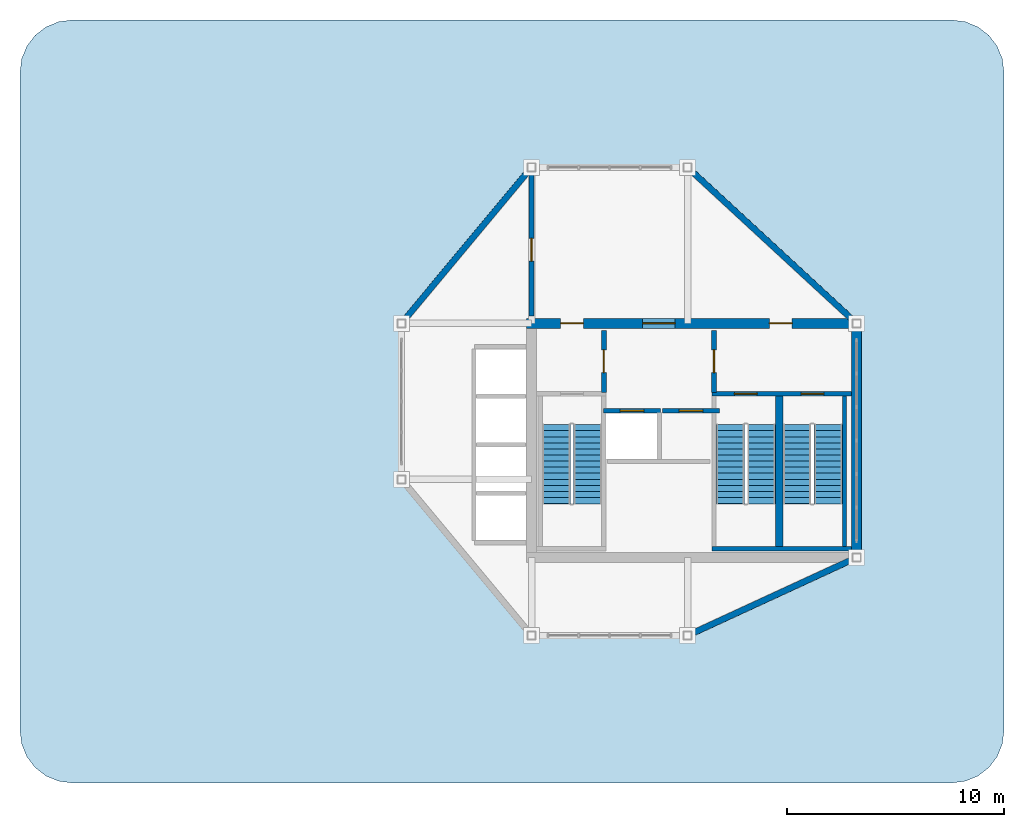
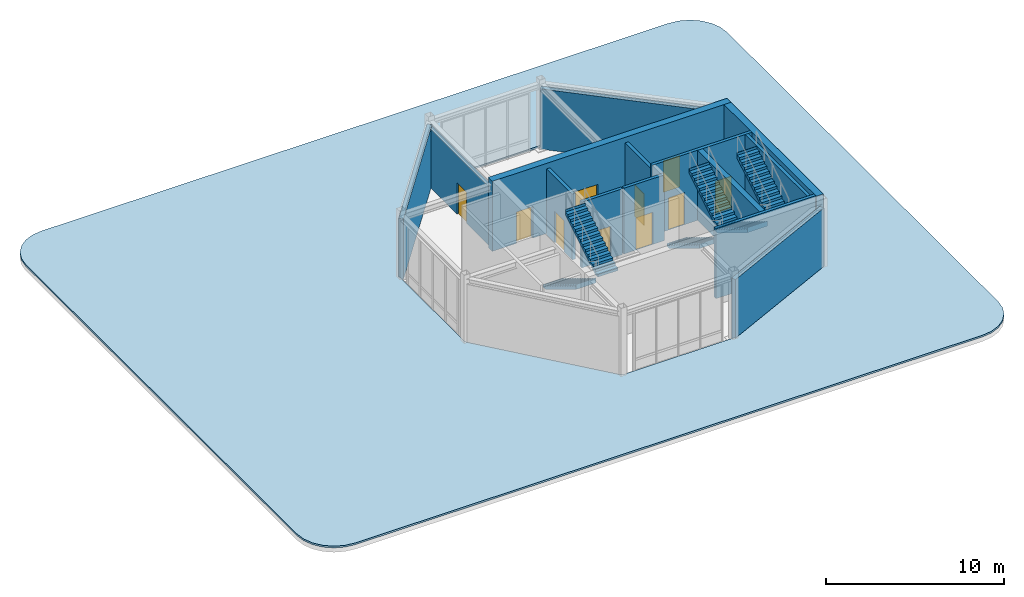
# One storey, part 4 of 5: 14 walls, 10 doors, 6 stair flights, 1 roof, 10 openings, 3 elements without a shape of their own.
"""IFC4 building model written with IfcOpenShell, lengths in metres."""

import ifcopenshell
import ifcopenshell.guid

model = None  # the IFC model being written
_history = None  # IfcOwnerHistory: only IFC2X3 demands one
_inside = {}  # id of a spatial element -> (the spatial element, [elements in it])
_under = {}  # id of a project, library or spatial element -> (it, [spatial elements below it])
_declared = {}  # id of a project -> (the project, [libraries it declares])
_typed = {}  # id of a type object -> (the type object, [elements of that type])
_made_of = {}  # id of a material, layer set ... -> (it, [elements and type objects made of it])


def new_model(schema):
    """Start an empty IFC model of exactly this schema.

    Asked for "IFC4X3", IfcOpenShell would pick the latest addendum, in which some entities
    have other attributes; the version numbers below select the first issue.
    IFC2X3 requires an IfcOwnerHistory on every rooted entity: one is made here for all.
    """
    global model, _history
    if schema == "IFC4X3":
        model = ifcopenshell.file(schema_version=(4, 3, 0, 0))
    else:
        model = ifcopenshell.file(schema=schema)
    _inside.clear()
    _under.clear()
    _declared.clear()
    _typed.clear()
    _made_of.clear()
    _history = None
    if model.schema == "IFC2X3":
        org = make("IfcOrganization", Name="unknown")
        user = make(
            "IfcPersonAndOrganization",
            ThePerson=make("IfcPerson", FamilyName="unknown"),
            TheOrganization=org,
        )
        app = make(
            "IfcApplication",
            ApplicationDeveloper=org,
            Version="unknown",
            ApplicationFullName="unknown",
            ApplicationIdentifier="unknown",
        )
        _history = make(
            "IfcOwnerHistory",
            OwningUser=user,
            OwningApplication=app,
            ChangeAction="ADDED",
            CreationDate=0,
        )
    return model


def make(cls, **values):
    """One entity of the class cls with the attributes given. An attribute that is None is left unset."""
    return model.create_entity(
        cls, **{name: value for name, value in values.items() if value is not None}
    )


def rooted(cls, **values):
    """An entity with a GlobalId (a new one), such as an element, a storey or a relation."""
    return make(cls, GlobalId=ifcopenshell.guid.new(), OwnerHistory=_history, **values)


def si_unit(unit_type, name, prefix=None):
    """IfcSIUnit, for example si_unit("LENGTHUNIT", "METRE", prefix="MILLI")."""
    return make("IfcSIUnit", UnitType=unit_type, Prefix=prefix, Name=name)


def derived_unit(unit_type, elements):
    """IfcDerivedUnit: a product of units, each with its exponent."""
    return make(
        "IfcDerivedUnit",
        Elements=[
            make("IfcDerivedUnitElement", Unit=unit, Exponent=power)
            for unit, power in elements
        ],
        UnitType=unit_type,
    )


def assignment(units):
    """IfcUnitAssignment: the units of a project."""
    return None if units is None else make("IfcUnitAssignment", Units=units)


def point(xyz):
    """IfcCartesianPoint."""
    return None if xyz is None else make("IfcCartesianPoint", Coordinates=xyz)


def direction(xyz):
    """IfcDirection."""
    return None if xyz is None else make("IfcDirection", DirectionRatios=xyz)


def frame(location, z_axis=None, x_axis=None):
    """IfcAxis2Placement3D, a coordinate frame: its origin and axes. An axis left out is left unset."""
    return make(
        "IfcAxis2Placement3D",
        Location=point(location),
        Axis=direction(z_axis),
        RefDirection=direction(x_axis),
    )


def frame_2d(location, x_axis=None):
    """IfcAxis2Placement2D, a coordinate frame in the plane: its origin and x axis."""
    return make(
        "IfcAxis2Placement2D", Location=point(location), RefDirection=direction(x_axis)
    )


def origin():
    """The frame at (0, 0, 0) with its axes left unset."""
    return frame((0.0, 0.0, 0.0))


def place(relative_to, where):
    """IfcLocalPlacement: puts the frame where relative to a parent placement (None: the world)."""
    return make(
        "IfcLocalPlacement", PlacementRelTo=relative_to, RelativePlacement=where
    )


def context(
    kind, dimensions, precision=None, world=None, true_north=None, identifier=None
):
    """IfcGeometricRepresentationContext, for example the 3D "Model" context."""
    return make(
        "IfcGeometricRepresentationContext",
        ContextIdentifier=identifier,
        ContextType=kind,
        CoordinateSpaceDimension=dimensions,
        Precision=precision,
        WorldCoordinateSystem=world,
        TrueNorth=true_north,
    )


def subcontext(parent, identifier, kind, view, scale=None):
    """IfcGeometricRepresentationSubContext, for example "Body" below "Model"."""
    return make(
        "IfcGeometricRepresentationSubContext",
        ContextIdentifier=identifier,
        ContextType=kind,
        ParentContext=parent,
        TargetScale=scale,
        TargetView=view,
    )


def project(units=None, contexts=None):
    """IfcProject with its units and contexts."""
    return rooted(
        "IfcProject",
        Name="project",
        RepresentationContexts=contexts,
        UnitsInContext=assignment(units),
    )


def spatial(cls, under=None, at=None, **own):
    """A site, building, storey or space (cls), placed at a placement, below another one or the project."""
    s = rooted(cls, ObjectPlacement=at, **own)
    if under is not None:
        _under.setdefault(under.id(), (under, []))[1].append(s)
    return s


def polyline(points):
    """IfcPolyline through the points."""
    return make("IfcPolyline", Points=[point(p) for p in points])


def profile(cls, at=None, kind="AREA", **sizes):
    """A parametric profile (cls). Its sizes go by their IFC names, for example OverallWidth=200.0."""
    return make(cls, ProfileType=kind, Position=at, **sizes)


def rectangle(**sizes):
    """IfcRectangleProfileDef."""
    return profile("IfcRectangleProfileDef", **sizes)


def outline(outer, holes=None, kind="AREA"):
    """IfcArbitraryClosedProfileDef: a profile drawn as a closed curve; with holes, ...WithVoids."""
    if holes is None:
        return make("IfcArbitraryClosedProfileDef", ProfileType=kind, OuterCurve=outer)
    return make(
        "IfcArbitraryProfileDefWithVoids",
        ProfileType=kind,
        OuterCurve=outer,
        InnerCurves=holes,
    )


def extrude(swept, where, along, depth):
    """IfcExtrudedAreaSolid: the profile swept, set in the frame where, extruded along a direction by depth."""
    return make(
        "IfcExtrudedAreaSolid",
        SweptArea=swept,
        Position=where,
        ExtrudedDirection=direction(along),
        Depth=depth,
    )


def shape(context_of_items, identifier, shape_type, items):
    """IfcShapeRepresentation: the items that make up one representation, for example the "Body"."""
    return make(
        "IfcShapeRepresentation",
        ContextOfItems=context_of_items,
        RepresentationIdentifier=identifier,
        RepresentationType=shape_type,
        Items=items,
    )


def source(mapping_origin, context_of_items, identifier, shape_type, items):
    """IfcRepresentationMap: a shape defined once, which mapped items show again and again."""
    return make(
        "IfcRepresentationMap",
        MappingOrigin=mapping_origin,
        MappedRepresentation=shape(context_of_items, identifier, shape_type, items),
    )


def transform(
    local_origin,
    x_axis=None,
    y_axis=None,
    z_axis=None,
    scale=None,
    scale2=None,
    scale3=None,
    uniform=True,
):
    """IfcCartesianTransformationOperator3D, or its non-uniform kind. x_axis, y_axis, z_axis: its Axis1, 2, 3."""
    if uniform:
        return make(
            "IfcCartesianTransformationOperator3D",
            Axis1=direction(x_axis),
            Axis2=direction(y_axis),
            LocalOrigin=point(local_origin),
            Scale=scale,
            Axis3=direction(z_axis),
        )
    return make(
        "IfcCartesianTransformationOperator3DnonUniform",
        Axis1=direction(x_axis),
        Axis2=direction(y_axis),
        LocalOrigin=point(local_origin),
        Scale=scale,
        Axis3=direction(z_axis),
        Scale2=scale2,
        Scale3=scale3,
    )


def mapped(mapping_source, mapping_target):
    """IfcMappedItem: shows the shape of a source again, moved by a transform."""
    return make(
        "IfcMappedItem", MappingSource=mapping_source, MappingTarget=mapping_target
    )


def material(Name=None, Category=None):
    """IfcMaterial."""
    return make("IfcMaterial", Name=Name, Category=Category)


def layer(
    of_material, thickness, ventilated=None, Name=None, Category=None, Priority=None
):
    """IfcMaterialLayer: one layer of a wall or slab, of a material (None: an air gap)."""
    return make(
        "IfcMaterialLayer",
        Material=of_material,
        LayerThickness=thickness,
        IsVentilated=ventilated,
        Name=Name,
        Category=Category,
        Priority=Priority,
    )


def layer_set(layers, Name=None):
    """IfcMaterialLayerSet."""
    return make("IfcMaterialLayerSet", MaterialLayers=layers, LayerSetName=Name)


def made_of(thing, what):
    """Note that an element or type object is made of a material, layer set ...; save() writes the relation."""
    if what is not None:
        _made_of.setdefault(what.id(), (what, []))[1].append(thing)
    return thing


def type_object(cls, material=None, **own):
    """A type object (cls), such as IfcWallType, which elements share."""
    return made_of(rooted(cls, **own), material)


def type_shapes(of_type, sources):
    """Give a type object the sources (RepresentationMaps) that its elements show as mapped items."""
    of_type.RepresentationMaps = sources


def element(
    cls,
    number,
    at=None,
    inside=None,
    cuts=None,
    type_object=None,
    material=None,
    context=None,
    identifier="Body",
    shape_type=None,
    held_by="IfcProductDefinitionShape",
    body=None,
    shapes=None,
    **own,
):
    """One element of the class cls, such as IfcWall. Its Tag is "e" and its number.

    at: its placement. inside: the storey or other place that contains it. cuts: it is an
    opening in that element (IfcRelVoidsElement). A single representation is given by context,
    identifier, shape_type and body (its items); several are given by shapes. held_by: the class
    of the entity that holds the representations. save() writes the other relations.
    """
    e = rooted(cls, Tag="e%d" % number, ObjectPlacement=at, **own)
    if body is not None:
        shapes = [shape(context, identifier, shape_type, body)]
    if shapes is not None:
        e.Representation = make(held_by, Representations=shapes)
    if inside is not None:
        _inside.setdefault(inside.id(), (inside, []))[1].append(e)
    if cuts is not None:
        rooted(
            "IfcRelVoidsElement", RelatingBuildingElement=cuts, RelatedOpeningElement=e
        )
    if type_object is not None:
        _typed.setdefault(type_object.id(), (type_object, []))[1].append(e)
    return made_of(e, material)


def fill(opening, filler):
    """IfcRelFillsElement: the door or window that sits in an opening."""
    return rooted(
        "IfcRelFillsElement",
        RelatingOpeningElement=opening,
        RelatedBuildingElement=filler,
    )


def aggregate(whole, parts):
    """IfcRelAggregates: a whole, such as a stair, and the parts it consists of."""
    return rooted("IfcRelAggregates", RelatingObject=whole, RelatedObjects=parts)


def save(model, path):
    """Write the relations noted so far, then the file.

    IfcRelAggregates (storeys below a building ...), IfcRelContainedInSpatialStructure (elements
    in a storey), IfcRelDefinesByType, IfcRelAssociatesMaterial and IfcRelDeclares: one each for
    every whole, place, type object, material and project.
    """
    for whole, parts in _under.values():
        aggregate(whole, parts)
    for where, things in _inside.values():
        rooted(
            "IfcRelContainedInSpatialStructure",
            RelatedElements=things,
            RelatingStructure=where,
        )
    for kind, things in _typed.values():
        rooted("IfcRelDefinesByType", RelatedObjects=things, RelatingType=kind)
    for what, things in _made_of.values():
        rooted("IfcRelAssociatesMaterial", RelatedObjects=things, RelatingMaterial=what)
    for by, libraries in _declared.values():
        rooted("IfcRelDeclares", RelatingContext=by, RelatedDefinitions=libraries)
    model.write(path)


model = new_model("IFC4")

# Units and contexts
model_context = context("Model", 3, precision=1e-05, world=origin(), true_north=direction((0.0, 1.0)))
body_context = subcontext(model_context, "Body", "Model", "MODEL_VIEW")
ifc_project = project(units=[si_unit("LENGTHUNIT", "METRE"), si_unit("AREAUNIT", "SQUARE_METRE"), si_unit("VOLUMEUNIT", "CUBIC_METRE"), si_unit("PLANEANGLEUNIT", "RADIAN"), si_unit("MASSUNIT", "GRAM", prefix="KILO"), si_unit("THERMODYNAMICTEMPERATUREUNIT", "KELVIN"), si_unit("POWERUNIT", "WATT"), derived_unit("THERMALTRANSMITTANCEUNIT", [(si_unit("POWERUNIT", "WATT"), 1), (si_unit("AREAUNIT", "SQUARE_METRE"), -1), (si_unit("THERMODYNAMICTEMPERATUREUNIT", "KELVIN"), -1)])], contexts=[model_context])

# Site, building, storey
site_placement = place(None, origin())
site = spatial("IfcSite", under=ifc_project, at=site_placement, CompositionType="ELEMENT")
building_placement = place(site_placement, origin())
building = spatial("IfcBuilding", under=site, at=building_placement, Name="Zahravan Archway Hotel and Residences", CompositionType="ELEMENT")
storey_placement = place(building_placement, frame((0.0, 0.0, 299.10009765625)))
storey = spatial("IfcBuildingStorey", under=building, at=storey_placement, Name="L75", CompositionType="ELEMENT", Elevation=299.10009765625)

# Wall, openings, doors
ifc_material_1 = material(Name="Concrete C50/60", Category="concrete")
ifc_layer_1 = layer(ifc_material_1, 0.449951171875, Name="Concrete C50/60", Category="concrete")
ifc_layer_set_1 = layer_set([ifc_layer_1], Name="Concrete C50/60")
wall_type_1 = type_object("IfcWallType", Name="CW-CORE-450", PredefinedType="SHEAR", material=ifc_layer_set_1)
wall_1_placement = place(storey_placement, frame((34.574951171875, 14.39990234375, 0.0), z_axis=(0.0, 0.0, 1.0), x_axis=(1.0, 0.0, 0.0)))
wall_1 = element("IfcWall", 1, at=wall_1_placement, inside=storey, type_object=wall_type_1, Name="L75 Core A Shear N Wall 450 mm", PredefinedType="SHEAR", context=body_context, shape_type="SweptSolid", body=[
    extrude(rectangle(XDim=15.449951171875, YDim=0.449951171875, at=frame_2d((7.72509765625, 0.0))), origin(), (0.0, 0.0, 1.0), 4.7998046875),
])
opening_1_placement = place(wall_1_placement, frame((5.35498046875, 0.0, 0.0)))
opening_1 = element("IfcOpeningElement", 2, at=opening_1_placement, cuts=wall_1, Name="Opening FD-L1", PredefinedType="OPENING", context=body_context, shape_type="SweptSolid", body=[
    extrude(rectangle(XDim=1.5, YDim=2.199951171875, at=frame_2d((0.75, 1.10009765625))), frame((0.0, 0.23486328125, 0.0), z_axis=(0.0, -1.0, 0.0), x_axis=(1.0, 0.0, 0.0)), (0.0, 0.0, 1.0), 0.469970703125),
])
opening_2_placement = place(wall_1_placement, frame((1.570068359375, 0.0, 0.0)))
opening_2 = element("IfcOpeningElement", 3, at=opening_2_placement, cuts=wall_1, Name="Opening FD-L2", PredefinedType="OPENING", context=body_context, shape_type="SweptSolid", body=[
    extrude(rectangle(XDim=1.050048828125, YDim=2.14990234375, at=frame_2d((0.52490234375, 1.074951171875))), frame((0.0, 0.23486328125, 0.0), z_axis=(0.0, -1.0, 0.0), x_axis=(1.0, 0.0, 0.0)), (0.0, 0.0, 1.0), 0.469970703125),
])
opening_3_placement = place(wall_1_placement, frame((11.199951171875, 0.0, 0.0)))
opening_3 = element("IfcOpeningElement", 4, at=opening_3_placement, cuts=wall_1, Name="Opening FD-L2", PredefinedType="OPENING", context=body_context, shape_type="SweptSolid", body=[
    extrude(rectangle(XDim=1.050048828125, YDim=2.14990234375, at=frame_2d((0.52490234375, 1.074951171875))), frame((0.0, 0.23486328125, 0.0), z_axis=(0.0, -1.0, 0.0), x_axis=(1.0, 0.0, 0.0)), (0.0, 0.0, 1.0), 0.469970703125),
])
ifc_material_2 = material(Name="Fire-Rated Painted Steel", Category="steel")
door_type_1 = type_object("IfcDoorType", Name="FD-LOBBY-1100", OperationType="NOTDEFINED", PredefinedType="DOOR", material=ifc_material_2)
shared_shape_1 = source(origin(), body_context, "Body", "SweptSolid", [
    extrude(rectangle(XDim=1.050048828125, YDim=2.14990234375, at=frame_2d((0.52490234375, 1.074951171875))), frame((0.0, 0.02490234375, 0.0), z_axis=(0.0, -1.0, 0.0), x_axis=(1.0, 0.0, 0.0)), (0.0, 0.0, 1.0), 0.050048828125),
])
type_shapes(door_type_1, [shared_shape_1])
door_1_placement = place(opening_2_placement, origin())
door_1 = element("IfcDoor", 5, at=door_1_placement, inside=storey, type_object=door_type_1, Name="L75 Core A West Stair Lobby Door", OperationType="SINGLE_SWING_RIGHT", OverallHeight=2.14990234375, OverallWidth=1.050048828125, PredefinedType="DOOR", context=body_context, shape_type="MappedRepresentation", body=[
    mapped(shared_shape_1, transform((0.0, 0.0, 0.0), scale=1.0)),
])
fill(opening_2, door_1)
door_2_placement = place(opening_3_placement, origin())
door_2 = element("IfcDoor", 6, at=door_2_placement, inside=storey, type_object=door_type_1, Name="L75 Core A East Stair Lobby Door", OperationType="SINGLE_SWING_LEFT", OverallHeight=2.14990234375, OverallWidth=1.050048828125, PredefinedType="DOOR", context=body_context, shape_type="MappedRepresentation", body=[
    mapped(shared_shape_1, transform((0.0, 0.0, 0.0), scale=1.0)),
])
fill(opening_3, door_2)
door_type_2 = type_object("IfcDoorType", Name="FD-LOBBY-1500", OperationType="DOUBLE_DOOR_SINGLE_SWING", PredefinedType="DOOR", material=ifc_material_2)
shared_shape_2 = source(origin(), body_context, "Body", "SweptSolid", [
    extrude(rectangle(XDim=1.5, YDim=2.199951171875, at=frame_2d((0.75, 1.10009765625))), frame((0.0, 0.02490234375, 0.0), z_axis=(0.0, -1.0, 0.0), x_axis=(1.0, 0.0, 0.0)), (0.0, 0.0, 1.0), 0.050048828125),
])
type_shapes(door_type_2, [shared_shape_2])
door_3_placement = place(opening_1_placement, origin())
door_3 = element("IfcDoor", 7, at=door_3_placement, inside=storey, type_object=door_type_2, Name="L75 Core A FSAE Lobby Main Door", OperationType="DOUBLE_DOOR_SINGLE_SWING", OverallHeight=2.199951171875, OverallWidth=1.5, PredefinedType="DOOR", context=body_context, shape_type="MappedRepresentation", body=[
    mapped(shared_shape_2, transform((0.0, 0.0, 0.0), scale=1.0)),
])
fill(opening_1, door_3)

# Walls
wall_2_placement = place(storey_placement, frame((49.800048828125, 3.824951171875, 0.0), z_axis=(0.0, 0.0, 1.0), x_axis=(0.0, 1.0, 0.0)))
element("IfcWall", 8, at=wall_2_placement, inside=storey, type_object=wall_type_1, Name="L75 Core A Shear E Wall 450 mm", PredefinedType="SHEAR", context=body_context, shape_type="SweptSolid", body=[
    extrude(rectangle(XDim=10.35009765625, YDim=0.449951171875, at=frame_2d((5.175048828125, 0.0))), origin(), (0.0, 0.0, 1.0), 4.7998046875),
])
ifc_material_3 = material(Name="Carved Chhatri Sandstone Cladding Wall", Category="masonry")
ifc_layer_2 = layer(ifc_material_3, 0.280029296875, Name="Carved Chhatri Sandstone Cladding Wall", Category="masonry")
ifc_layer_set_2 = layer_set([ifc_layer_2], Name="Carved Chhatri Sandstone Cladding Wall")
wall_type_2 = type_object("IfcWallType", Name="EW-DRUM-280", PredefinedType="SOLIDWALL", material=ifc_layer_set_2)
wall_3_placement = place(storey_placement, frame((42.0, 0.0, 0.0), z_axis=(0.0, 0.0, 1.0), x_axis=(0.907956057379, 0.41906538615, 0.0)))
element("IfcWall", 9, at=wall_3_placement, inside=storey, type_object=wall_type_2, Name="L75 Octagonal Chhatri Sandstone Face 2", PredefinedType="SOLIDWALL", context=body_context, shape_type="SweptSolid", body=[
    extrude(rectangle(XDim=8.5908203125, YDim=0.280029296875, at=frame_2d((4.29541015625, 0.0))), origin(), (0.0, 0.0, 1.0), 4.125),
])
wall_4_placement = place(storey_placement, frame((49.800048828125, 14.39990234375, 0.0), z_axis=(0.0, 0.0, 1.0), x_axis=(-0.734796390569, 0.678287744551, 0.0)))
element("IfcWall", 10, at=wall_4_placement, inside=storey, type_object=wall_type_2, Name="L75 Octagonal Chhatri Sandstone Face 4", PredefinedType="SOLIDWALL", context=body_context, shape_type="SweptSolid", body=[
    extrude(rectangle(XDim=10.615234375, YDim=0.280029296875, at=frame_2d((5.3076171875, 0.0))), origin(), (0.0, 0.0, 1.0), 4.125),
])
wall_5_placement = place(storey_placement, frame((34.800048828125, 21.60009765625, 0.0), z_axis=(0.0, 0.0, 1.0), x_axis=(-0.640174150918, -0.768229820104, 0.0)))
element("IfcWall", 11, at=wall_5_placement, inside=storey, type_object=wall_type_2, Name="L75 Octagonal Chhatri Sandstone Face 6", PredefinedType="SOLIDWALL", context=body_context, shape_type="SweptSolid", body=[
    extrude(rectangle(XDim=9.37255859375, YDim=0.280029296875, at=frame_2d((4.686279296875, 0.0))), origin(), (0.0, 0.0, 1.0), 4.125),
])

# Wall, opening, door
ifc_material_4 = material(Name="Fire-Rated Gypsum & Concrete Block", Category="concrete")
ifc_layer_3 = layer(ifc_material_4, 0.219970703125, Name="Fire-Rated Gypsum & Concrete Block", Category="concrete")
ifc_layer_set_3 = layer_set([ifc_layer_3], Name="Fire-Rated Gypsum & Concrete Block")
wall_type_3 = type_object("IfcWallType", Name="PW-COMP-220", PredefinedType="PARTITIONING", material=ifc_layer_set_3)
wall_6_placement = place(storey_placement, frame((38.139892578125, 11.219970703125, 0.0), z_axis=(0.0, 0.0, 1.0), x_axis=(0.0, 1.0, 0.0)))
wall_6 = element("IfcWall", 12, at=wall_6_placement, inside=storey, type_object=wall_type_3, Name="L75 Partition CA-LOBW", PredefinedType="PARTITIONING", context=body_context, shape_type="SweptSolid", body=[
    extrude(rectangle(XDim=2.860107421875, YDim=0.219970703125, at=frame_2d((1.43017578125, 0.0))), origin(), (0.0, 0.0, 1.0), 4.5),
])
opening_4_placement = place(wall_6_placement, frame((0.905029296875, 0.0, 0.0)))
opening_4 = element("IfcOpeningElement", 13, at=opening_4_placement, cuts=wall_6, Name="Opening FD-L2", PredefinedType="OPENING", context=body_context, shape_type="SweptSolid", body=[
    extrude(rectangle(XDim=1.050048828125, YDim=2.14990234375, at=frame_2d((0.52490234375, 1.074951171875))), frame((0.0, 0.1201171875, 0.0), z_axis=(0.0, -1.0, 0.0), x_axis=(1.0, 0.0, 0.0)), (0.0, 0.0, 1.0), 0.239990234375),
])
door_4_placement = place(opening_4_placement, origin())
door_4 = element("IfcDoor", 14, at=door_4_placement, inside=storey, type_object=door_type_1, Name="L75 Core A West Stair to FSAE Lobby Door", OperationType="SINGLE_SWING_RIGHT", OverallHeight=2.14990234375, OverallWidth=1.050048828125, PredefinedType="DOOR", context=body_context, shape_type="MappedRepresentation", body=[
    mapped(shared_shape_1, transform((0.0, 0.0, 0.0), scale=1.0)),
])
fill(opening_4, door_4)

wall_7_placement = place(storey_placement, frame((43.219970703125, 11.219970703125, 0.0), z_axis=(0.0, 0.0, 1.0), x_axis=(0.0, 1.0, 0.0)))
wall_7 = element("IfcWall", 15, at=wall_7_placement, inside=storey, type_object=wall_type_3, Name="L75 Partition CA-LOBE", PredefinedType="PARTITIONING", context=body_context, shape_type="SweptSolid", body=[
    extrude(rectangle(XDim=2.860107421875, YDim=0.219970703125, at=frame_2d((1.43017578125, 0.0))), origin(), (0.0, 0.0, 1.0), 4.5),
])
opening_5_placement = place(wall_7_placement, frame((0.905029296875, 0.0, 0.0)))
opening_5 = element("IfcOpeningElement", 16, at=opening_5_placement, cuts=wall_7, Name="Opening FD-L2", PredefinedType="OPENING", context=body_context, shape_type="SweptSolid", body=[
    extrude(rectangle(XDim=1.050048828125, YDim=2.14990234375, at=frame_2d((0.52490234375, 1.074951171875))), frame((0.0, 0.1201171875, 0.0), z_axis=(0.0, -1.0, 0.0), x_axis=(1.0, 0.0, 0.0)), (0.0, 0.0, 1.0), 0.239990234375),
])
door_5_placement = place(opening_5_placement, origin())
door_5 = element("IfcDoor", 17, at=door_5_placement, inside=storey, type_object=door_type_1, Name="L75 Core A East Stair to FSAE Lobby Door", OperationType="SINGLE_SWING_LEFT", OverallHeight=2.14990234375, OverallWidth=1.050048828125, PredefinedType="DOOR", context=body_context, shape_type="MappedRepresentation", body=[
    mapped(shared_shape_1, transform((0.0, 0.0, 0.0), scale=1.0)),
])
fill(opening_5, door_5)

wall_8_placement = place(storey_placement, frame((34.800048828125, 14.739990234375, 0.0), z_axis=(0.0, 0.0, 1.0), x_axis=(0.0, 1.0, 0.0)))
wall_8 = element("IfcWall", 18, at=wall_8_placement, inside=storey, type_object=wall_type_3, Name="L75 Partition L75-PL1", PredefinedType="PARTITIONING", context=body_context, shape_type="SweptSolid", body=[
    extrude(rectangle(XDim=6.719970703125, YDim=0.219970703125, at=frame_2d((3.35986328125, 0.0))), origin(), (0.0, 0.0, 1.0), 4.034912109375),
])
opening_6_placement = place(wall_8_placement, frame((2.534912109375, 0.0, 0.0)))
opening_6 = element("IfcOpeningElement", 19, at=opening_6_placement, cuts=wall_8, Name="Opening FD-L2", PredefinedType="OPENING", context=body_context, shape_type="SweptSolid", body=[
    extrude(rectangle(XDim=1.050048828125, YDim=2.14990234375, at=frame_2d((0.52490234375, 1.074951171875))), frame((0.0, 0.1201171875, 0.0), z_axis=(0.0, -1.0, 0.0), x_axis=(1.0, 0.0, 0.0)), (0.0, 0.0, 1.0), 0.239990234375),
])
door_6_placement = place(opening_6_placement, origin())
door_6 = element("IfcDoor", 20, at=door_6_placement, inside=storey, type_object=door_type_1, Name="L75 Crown Mechanical Hall Door", OperationType="SINGLE_SWING_RIGHT", OverallHeight=2.14990234375, OverallWidth=1.050048828125, PredefinedType="DOOR", context=body_context, shape_type="MappedRepresentation", body=[
    mapped(shared_shape_1, transform((0.0, 0.0, 0.0), scale=1.0)),
])
fill(opening_6, door_6)

ifc_layer_4 = layer(ifc_material_4, 0.199951171875, Name="Fire-Rated Gypsum & Concrete Block", Category="concrete")
ifc_layer_set_4 = layer_set([ifc_layer_4], Name="Fire-Rated Gypsum & Concrete Block")
wall_type_4 = type_object("IfcWallType", Name="PW-SHAFT-200", PredefinedType="PARTITIONING", material=ifc_layer_set_4)
wall_9_placement = place(storey_placement, frame((38.1201171875, 10.3701171875, 0.0), z_axis=(0.0, 0.0, 1.0), x_axis=(1.0, 0.0, 0.0)))
wall_9 = element("IfcWall", 21, at=wall_9_placement, inside=storey, type_object=wall_type_4, Name="L75 Lift FL-1 Front Wall", PredefinedType="PARTITIONING", context=body_context, shape_type="SweptSolid", body=[
    extrude(rectangle(XDim=2.639892578125, YDim=0.199951171875, at=frame_2d((1.31982421875, 0.0))), origin(), (0.0, 0.0, 1.0), 4.5),
])
opening_7_placement = place(wall_9_placement, frame((0.77001953125, 0.0, 0.0)))
opening_7 = element("IfcOpeningElement", 22, at=opening_7_placement, cuts=wall_9, Name="Opening LD", PredefinedType="OPENING", context=body_context, shape_type="SweptSolid", body=[
    extrude(rectangle(XDim=1.10009765625, YDim=2.199951171875, at=frame_2d((0.550048828125, 1.10009765625))), frame((0.0, 0.10986328125, 0.0), z_axis=(0.0, -1.0, 0.0), x_axis=(1.0, 0.0, 0.0)), (0.0, 0.0, 1.0), 0.219970703125),
])
ifc_material_5 = material(Name="Brushed Stainless Steel", Category="steel")
door_type_3 = type_object("IfcDoorType", Name="DR-LIFT-LD", OperationType="SLIDING_TO_LEFT", PredefinedType="DOOR", material=ifc_material_5)
shared_shape_3 = source(origin(), body_context, "Body", "SweptSolid", [
    extrude(rectangle(XDim=1.10009765625, YDim=2.199951171875, at=frame_2d((0.550048828125, 1.10009765625))), frame((0.0, 0.02490234375, 0.0), z_axis=(0.0, -1.0, 0.0), x_axis=(1.0, 0.0, 0.0)), (0.0, 0.0, 1.0), 0.050048828125),
])
type_shapes(door_type_3, [shared_shape_3])
door_7_placement = place(opening_7_placement, origin())
door_7 = element("IfcDoor", 23, at=door_7_placement, inside=storey, type_object=door_type_3, Name="L75 Lift FL-1 Sliding Landing Door", OperationType="SLIDING_TO_LEFT", OverallHeight=2.199951171875, OverallWidth=1.10009765625, PredefinedType="DOOR", context=body_context, shape_type="MappedRepresentation", body=[
    mapped(shared_shape_3, transform((0.0, 0.0, 0.0), scale=1.0)),
])
fill(opening_7, door_7)

wall_10_placement = place(storey_placement, frame((40.840087890625, 10.3701171875, 0.0), z_axis=(0.0, 0.0, 1.0), x_axis=(1.0, 0.0, 0.0)))
wall_10 = element("IfcWall", 24, at=wall_10_placement, inside=storey, type_object=wall_type_4, Name="L75 Lift FL-2 Front Wall", PredefinedType="PARTITIONING", context=body_context, shape_type="SweptSolid", body=[
    extrude(rectangle(XDim=2.639892578125, YDim=0.199951171875, at=frame_2d((1.31982421875, 0.0))), origin(), (0.0, 0.0, 1.0), 4.5),
])
opening_8_placement = place(wall_10_placement, frame((0.77001953125, 0.0, 0.0)))
opening_8 = element("IfcOpeningElement", 25, at=opening_8_placement, cuts=wall_10, Name="Opening LD", PredefinedType="OPENING", context=body_context, shape_type="SweptSolid", body=[
    extrude(rectangle(XDim=1.10009765625, YDim=2.199951171875, at=frame_2d((0.550048828125, 1.10009765625))), frame((0.0, 0.10986328125, 0.0), z_axis=(0.0, -1.0, 0.0), x_axis=(1.0, 0.0, 0.0)), (0.0, 0.0, 1.0), 0.219970703125),
])
door_8_placement = place(opening_8_placement, origin())
door_8 = element("IfcDoor", 26, at=door_8_placement, inside=storey, type_object=door_type_3, Name="L75 Lift FL-2 Sliding Landing Door", OperationType="SLIDING_TO_LEFT", OverallHeight=2.199951171875, OverallWidth=1.10009765625, PredefinedType="DOOR", context=body_context, shape_type="MappedRepresentation", body=[
    mapped(shared_shape_3, transform((0.0, 0.0, 0.0), scale=1.0)),
])
fill(opening_8, door_8)

# Walls
ifc_layer_5 = layer(ifc_material_1, 0.199951171875, Name="Concrete C50/60", Category="concrete")
ifc_layer_set_5 = layer_set([ifc_layer_5], Name="Concrete C50/60")
wall_type_5 = type_object("IfcWallType", Name="SW-STAIR-200", PredefinedType="SHEAR", material=ifc_layer_set_5)
wall_11_placement = place(storey_placement, frame((43.1201171875, 4.0, 0.0), z_axis=(0.0, 0.0, 1.0), x_axis=(1.0, 0.0, 0.0)))
element("IfcWall", 27, at=wall_11_placement, inside=storey, type_object=wall_type_5, Name="L75 Stairwell RC Wall CA-SA23S", PredefinedType="SHEAR", context=body_context, shape_type="SweptSolid", body=[
    extrude(rectangle(XDim=6.454833984375, YDim=0.199951171875, at=frame_2d((3.2275390625, 0.0))), origin(), (0.0, 0.0, 1.0), 4.7998046875),
])
wall_12_placement = place(storey_placement, frame((49.239990234375, 4.10009765625, 0.0), z_axis=(0.0, 0.0, 1.0), x_axis=(0.0, 1.0, 0.0)))
element("IfcWall", 28, at=wall_12_placement, inside=storey, type_object=wall_type_5, Name="L75 Stairwell RC Wall CA-SA3E", PredefinedType="SHEAR", context=body_context, shape_type="SweptSolid", body=[
    extrude(rectangle(XDim=6.949951171875, YDim=0.199951171875, at=frame_2d((3.47509765625, 0.0))), origin(), (0.0, 0.0, 1.0), 4.7998046875),
])

# Wall, openings, doors
wall_13_placement = place(storey_placement, frame((43.1201171875, 11.14990234375, 0.0), z_axis=(0.0, 0.0, 1.0), x_axis=(1.0, 0.0, 0.0)))
wall_13 = element("IfcWall", 29, at=wall_13_placement, inside=storey, type_object=wall_type_5, Name="L75 Stairwell RC Wall CA-SA23N", PredefinedType="SHEAR", context=body_context, shape_type="SweptSolid", body=[
    extrude(rectangle(XDim=6.454833984375, YDim=0.199951171875, at=frame_2d((3.2275390625, 0.0))), origin(), (0.0, 0.0, 1.0), 4.7998046875),
])
opening_9_placement = place(wall_13_placement, frame((1.044921875, 0.0, 0.0)))
opening_9 = element("IfcOpeningElement", 30, at=opening_9_placement, cuts=wall_13, Name="Opening FD-S1", PredefinedType="OPENING", context=body_context, shape_type="SweptSolid", body=[
    extrude(rectangle(XDim=1.050048828125, YDim=2.199951171875, at=frame_2d((0.52490234375, 1.10009765625))), frame((0.0, 0.10986328125, 0.0), z_axis=(0.0, -1.0, 0.0), x_axis=(1.0, 0.0, 0.0)), (0.0, 0.0, 1.0), 0.219970703125),
])
opening_10_placement = place(wall_13_placement, frame((4.125, 0.0, 0.0)))
opening_10 = element("IfcOpeningElement", 31, at=opening_10_placement, cuts=wall_13, Name="Opening FD-S1", PredefinedType="OPENING", context=body_context, shape_type="SweptSolid", body=[
    extrude(rectangle(XDim=1.050048828125, YDim=2.199951171875, at=frame_2d((0.52490234375, 1.10009765625))), frame((0.0, 0.10986328125, 0.0), z_axis=(0.0, -1.0, 0.0), x_axis=(1.0, 0.0, 0.0)), (0.0, 0.0, 1.0), 0.219970703125),
])
door_type_4 = type_object("IfcDoorType", Name="FD-STAIR-1100", OperationType="NOTDEFINED", PredefinedType="DOOR", material=ifc_material_2)
shared_shape_4 = source(origin(), body_context, "Body", "SweptSolid", [
    extrude(rectangle(XDim=1.050048828125, YDim=2.199951171875, at=frame_2d((0.52490234375, 1.10009765625))), frame((0.0, 0.02490234375, 0.0), z_axis=(0.0, -1.0, 0.0), x_axis=(1.0, 0.0, 0.0)), (0.0, 0.0, 1.0), 0.050048828125),
])
type_shapes(door_type_4, [shared_shape_4])
door_9_placement = place(opening_9_placement, origin())
door_9 = element("IfcDoor", 32, at=door_9_placement, inside=storey, type_object=door_type_4, Name="L75 Stair ST-A2 Door", OperationType="SINGLE_SWING_RIGHT", OverallHeight=2.199951171875, OverallWidth=1.050048828125, PredefinedType="DOOR", context=body_context, shape_type="MappedRepresentation", body=[
    mapped(shared_shape_4, transform((0.0, 0.0, 0.0), scale=1.0)),
])
fill(opening_9, door_9)
door_10_placement = place(opening_10_placement, origin())
door_10 = element("IfcDoor", 33, at=door_10_placement, inside=storey, type_object=door_type_4, Name="L75 Stair ST-A3 Door", OperationType="SINGLE_SWING_LEFT", OverallHeight=2.199951171875, OverallWidth=1.050048828125, PredefinedType="DOOR", context=body_context, shape_type="MappedRepresentation", body=[
    mapped(shared_shape_4, transform((0.0, 0.0, 0.0), scale=1.0)),
])
fill(opening_10, door_10)

# Wall
ifc_layer_6 = layer(ifc_material_1, 0.340087890625, Name="Concrete C50/60", Category="concrete")
ifc_layer_set_6 = layer_set([ifc_layer_6], Name="Concrete C50/60")
wall_type_6 = type_object("IfcWallType", Name="SW-STAIR-340", PredefinedType="SHEAR", material=ifc_layer_set_6)
wall_14_placement = place(storey_placement, frame((46.22998046875, 4.10009765625, 0.0), z_axis=(0.0, 0.0, 1.0), x_axis=(0.0, 1.0, 0.0)))
element("IfcWall", 34, at=wall_14_placement, inside=storey, type_object=wall_type_6, Name="L75 Stairwell RC Wall CA-SA23M", PredefinedType="SHEAR", context=body_context, shape_type="SweptSolid", body=[
    extrude(rectangle(XDim=6.949951171875, YDim=0.340087890625, at=frame_2d((3.47509765625, 0.0))), origin(), (0.0, 0.0, 1.0), 4.7998046875),
])

# Stair, stair flights
stair_type = type_object("IfcStairType", Name="STR-CORE-1300", PredefinedType="HALF_TURN_STAIR", material=ifc_material_1)
stair_1_placement = place(storey_placement, origin())
stair_1 = element("IfcStair", 35, at=stair_1_placement, inside=storey, type_object=stair_type, Name="L75 Core A Exit Stair 1", PredefinedType="HALF_TURN_STAIR")
ifc_layer_7 = layer(ifc_material_1, 0.199951171875, Name="Concrete C50/60", Category="concrete")
ifc_layer_set_7 = layer_set([ifc_layer_7], Name="Concrete C50/60")
stair_flight_type = type_object("IfcStairFlightType", Name="SFL-CORE-1300", PredefinedType="STRAIGHT", material=ifc_layer_set_7)
shared_shape_5 = source(origin(), body_context, "Body", "SweptSolid", [
    extrude(outline(polyline([(-0.01611328125, 0.0), (-0.01611328125, 0.17138671875), (0.280029296875, 0.17138671875), (0.280029296875, 0.3427734375), (0.56005859375, 0.3427734375), (0.56005859375, 0.514404296875), (0.840087890625, 0.514404296875), (0.840087890625, 0.685791015625), (1.1201171875, 0.685791015625), (1.1201171875, 0.857177734375), (1.39990234375, 0.857177734375), (1.39990234375, 1.028564453125), (1.679931640625, 1.028564453125), (1.679931640625, 1.199951171875), (1.9599609375, 1.199951171875), (1.9599609375, 1.371337890625), (2.239990234375, 1.371337890625), (2.239990234375, 1.54296875), (2.52001953125, 1.54296875), (2.52001953125, 1.71435546875), (2.800048828125, 1.71435546875), (2.800048828125, 1.8857421875), (3.080078125, 1.8857421875), (3.080078125, 2.05712890625), (3.360107421875, 2.05712890625), (3.360107421875, 2.228515625), (3.639892578125, 2.228515625), (3.639892578125, 2.39990234375), (3.656005859375, 2.39990234375), (3.656005859375, 2.052734375), (0.287109375, 0.0), (-0.01611328125, 0.0)])), frame((0.0, 0.64990234375, 0.0), z_axis=(0.0, -1.0, 0.0), x_axis=(1.0, 0.0, 0.0)), (0.0, 0.0, 1.0), 1.300048828125),
])
stair_flight_1_placement = place(storey_placement, frame((35.949951171875, 9.72998046875, 0.0), z_axis=(0.0, 0.0, 1.0), x_axis=(0.0, -1.0, 0.0)))
stair_flight_1 = element("IfcStairFlight", 36, at=stair_flight_1_placement, type_object=stair_flight_type, Name="ST-A1 flight 1", NumberOfRisers=14, NumberOfTreads=13, PredefinedType="STRAIGHT", RiserHeight=0.171428571, TreadLength=0.28, context=body_context, shape_type="MappedRepresentation", body=[
    mapped(shared_shape_5, transform((0.0, 0.0, 0.0), scale=1.0)),
])
stair_flight_2_placement = place(storey_placement, frame((37.389892578125, 6.090087890625, 2.39990234375), z_axis=(0.0, 0.0, 1.0), x_axis=(0.0, 1.0, 0.0)))
stair_flight_2 = element("IfcStairFlight", 37, at=stair_flight_2_placement, type_object=stair_flight_type, Name="ST-A1 flight 2", NumberOfRisers=14, NumberOfTreads=13, PredefinedType="STRAIGHT", RiserHeight=0.171428571, TreadLength=0.28, context=body_context, shape_type="MappedRepresentation", body=[
    mapped(shared_shape_5, transform((0.0, 0.0, 0.0), scale=1.0)),
])
aggregate(stair_1, [stair_flight_1, stair_flight_2])

stair_2_placement = place(storey_placement, origin())
stair_2 = element("IfcStair", 38, at=stair_2_placement, inside=storey, type_object=stair_type, Name="L75 Core A Exit Stair 2", PredefinedType="HALF_TURN_STAIR")
stair_flight_3_placement = place(storey_placement, frame((43.969970703125, 9.72998046875, 0.0), z_axis=(0.0, 0.0, 1.0), x_axis=(0.0, -1.0, 0.0)))
stair_flight_3 = element("IfcStairFlight", 39, at=stair_flight_3_placement, type_object=stair_flight_type, Name="ST-A2 flight 1", NumberOfRisers=14, NumberOfTreads=13, PredefinedType="STRAIGHT", RiserHeight=0.171428571, TreadLength=0.28, context=body_context, shape_type="MappedRepresentation", body=[
    mapped(shared_shape_5, transform((0.0, 0.0, 0.0), scale=1.0)),
])
stair_flight_4_placement = place(storey_placement, frame((45.409912109375, 6.090087890625, 2.39990234375), z_axis=(0.0, 0.0, 1.0), x_axis=(0.0, 1.0, 0.0)))
stair_flight_4 = element("IfcStairFlight", 40, at=stair_flight_4_placement, type_object=stair_flight_type, Name="ST-A2 flight 2", NumberOfRisers=14, NumberOfTreads=13, PredefinedType="STRAIGHT", RiserHeight=0.171428571, TreadLength=0.28, context=body_context, shape_type="MappedRepresentation", body=[
    mapped(shared_shape_5, transform((0.0, 0.0, 0.0), scale=1.0)),
])
aggregate(stair_2, [stair_flight_3, stair_flight_4])

stair_3_placement = place(storey_placement, origin())
stair_3 = element("IfcStair", 41, at=stair_3_placement, inside=storey, type_object=stair_type, Name="L75 Core A Exit Stair 3", PredefinedType="HALF_TURN_STAIR")
stair_flight_5_placement = place(storey_placement, frame((47.050048828125, 9.72998046875, 0.0), z_axis=(0.0, 0.0, 1.0), x_axis=(0.0, -1.0, 0.0)))
stair_flight_5 = element("IfcStairFlight", 42, at=stair_flight_5_placement, type_object=stair_flight_type, Name="ST-A3 flight 1", NumberOfRisers=14, NumberOfTreads=13, PredefinedType="STRAIGHT", RiserHeight=0.171428571, TreadLength=0.28, context=body_context, shape_type="MappedRepresentation", body=[
    mapped(shared_shape_5, transform((0.0, 0.0, 0.0), scale=1.0)),
])
stair_flight_6_placement = place(storey_placement, frame((48.489990234375, 6.090087890625, 2.39990234375), z_axis=(0.0, 0.0, 1.0), x_axis=(0.0, 1.0, 0.0)))
stair_flight_6 = element("IfcStairFlight", 43, at=stair_flight_6_placement, type_object=stair_flight_type, Name="ST-A3 flight 2", NumberOfRisers=14, NumberOfTreads=13, PredefinedType="STRAIGHT", RiserHeight=0.171428571, TreadLength=0.28, context=body_context, shape_type="MappedRepresentation", body=[
    mapped(shared_shape_5, transform((0.0, 0.0, 0.0), scale=1.0)),
])
aggregate(stair_3, [stair_flight_5, stair_flight_6])

# Roof
ifc_material_6 = material(Name="Insulated Sandstone Ballasted Roof System", Category="masonry")
ifc_layer_8 = layer(ifc_material_6, 0.1201171875, Name="Insulated Sandstone Ballasted Roof System", Category="masonry")
ifc_layer_set_8 = layer_set([ifc_layer_8], Name="Insulated Sandstone Ballasted Roof System")
roof_type = type_object("IfcRoofType", Name="RF-CANOPY-FLAT", PredefinedType="FLAT_ROOF", material=ifc_layer_set_8)
roof_placement = place(storey_placement, origin())
element("IfcRoof", 44, at=roof_placement, inside=storey, type_object=roof_type, Name="Wing A Overhanging Chhajja Roof Assembly", PredefinedType="FLAT_ROOF", context=body_context, shape_type="SweptSolid", body=[
    extrude(outline(polyline([(13.60009765625, -6.800048828125), (12.978759765625, -6.71826171875), (12.39990234375, -6.478515625), (11.90283203125, -6.09716796875), (11.521484375, -5.60009765625), (11.28173828125, -5.021240234375), (11.199951171875, -4.39990234375), (11.199951171875, 26.0), (11.28173828125, 26.62109375), (11.521484375, 27.199951171875), (11.90283203125, 27.697021484375), (12.39990234375, 28.07861328125), (12.978759765625, 28.318115234375), (13.60009765625, 28.39990234375), (54.199951171875, 28.39990234375), (54.8212890625, 28.318115234375), (55.39990234375, 28.07861328125), (55.897216796875, 27.697021484375), (56.278564453125, 27.199951171875), (56.518310546875, 26.62109375), (56.60009765625, 26.0), (56.60009765625, -4.39990234375), (56.518310546875, -5.021240234375), (56.278564453125, -5.60009765625), (55.897216796875, -6.09716796875), (55.39990234375, -6.478515625), (54.8212890625, -6.71826171875), (54.199951171875, -6.800048828125), (13.60009765625, -6.800048828125)]), holes=[polyline([(34.764892578125, -0.03564453125), (34.7685546875, -0.038818359375), (34.7724609375, -0.041748046875), (34.776611328125, -0.044189453125), (34.781005859375, -0.04638671875), (34.78564453125, -0.0478515625), (34.790283203125, -0.049072265625), (34.795166015625, -0.0498046875), (34.800048828125, -0.050048828125), (42.0, -0.050048828125), (42.00537109375, -0.0498046875), (42.0107421875, -0.048828125), (42.015869140625, -0.04736328125), (42.02099609375, -0.04541015625), (49.821044921875, 3.5546875), (49.8251953125, 3.556884765625), (49.8291015625, 3.559326171875), (49.8330078125, 3.562255859375), (49.836181640625, 3.565673828125), (49.83935546875, 3.569091796875), (49.842041015625, 3.572998046875), (49.844482421875, 3.5771484375), (49.846435546875, 3.58154296875), (49.847900390625, 3.5859375), (49.84912109375, 3.590576171875), (49.849853515625, 3.59521484375), (49.85009765625, 3.60009765625), (49.85009765625, 14.39990234375), (49.849609375, 14.405029296875), (49.848876953125, 14.41015625), (49.84765625, 14.415283203125), (49.845703125, 14.420166015625), (49.843505859375, 14.4248046875), (49.8408203125, 14.428955078125), (49.83740234375, 14.43310546875), (49.833984375, 14.436767578125), (42.033935546875, 21.63671875), (42.0302734375, 21.6396484375), (42.026611328125, 21.642333984375), (42.0224609375, 21.644775390625), (42.018310546875, 21.646484375), (42.013916015625, 21.648193359375), (42.00927734375, 21.649169921875), (42.004638671875, 21.64990234375), (42.0, 21.64990234375), (34.800048828125, 21.64990234375), (34.795166015625, 21.64990234375), (34.790283203125, 21.649169921875), (34.78564453125, 21.64794921875), (34.781005859375, 21.646240234375), (34.776611328125, 21.644287109375), (34.7724609375, 21.6416015625), (34.7685546875, 21.638916015625), (34.764892578125, 21.635498046875), (34.76171875, 21.632080078125), (28.76171875, 14.431884765625), (28.758544921875, 14.427978515625), (28.756103515625, 14.423828125), (28.75390625, 14.419189453125), (28.752197265625, 14.414794921875), (28.7509765625, 14.409912109375), (28.750244140625, 14.405029296875), (28.75, 14.39990234375), (28.75, 7.199951171875), (28.750244140625, 7.195068359375), (28.7509765625, 7.190185546875), (28.752197265625, 7.185302734375), (28.75390625, 7.1806640625), (28.756103515625, 7.17626953125), (28.758544921875, 7.172119140625), (28.76171875, 7.16796875), (34.76171875, -0.031982421875), (34.764892578125, -0.03564453125)])]), origin(), (0.0, 0.0, 1.0), 0.119873046875),
])

save(model, "model.ifc")
